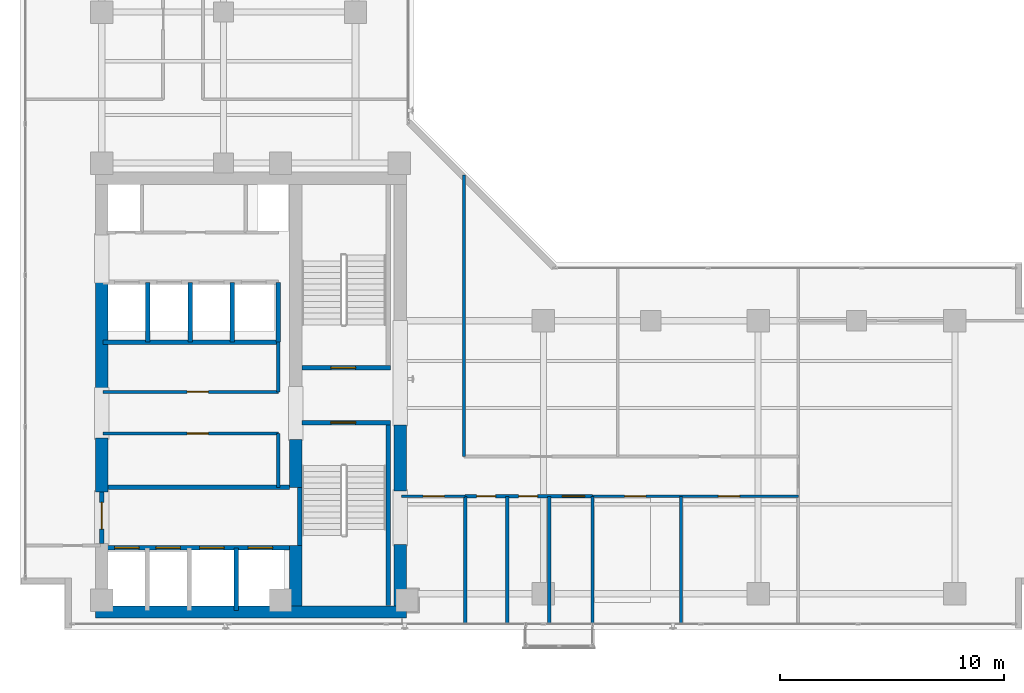
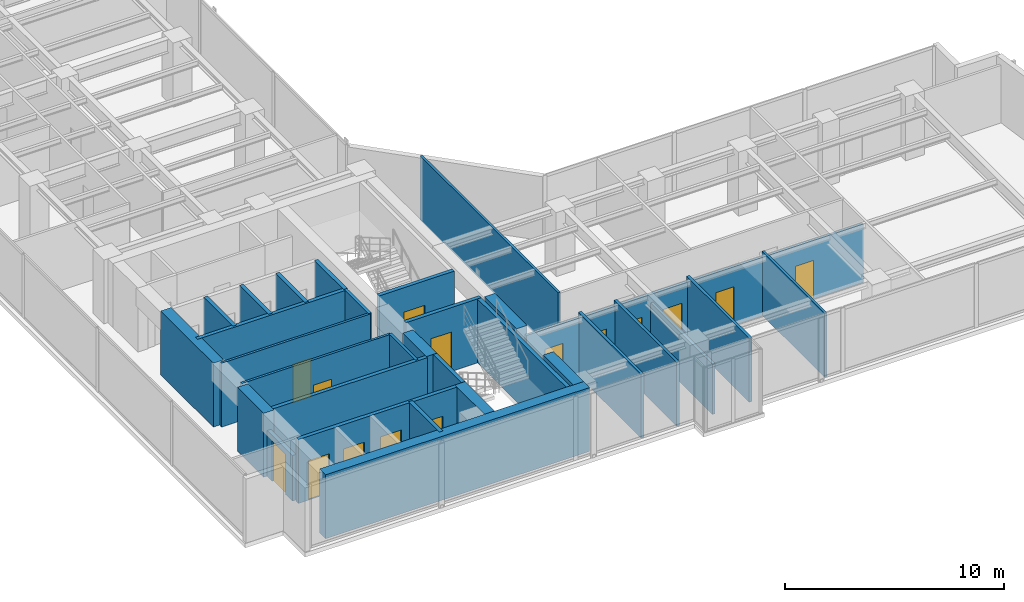
# One storey, part 17 of 22: 33 walls, 15 doors, 15 openings.
"""IFC4 building model written with IfcOpenShell, lengths in metres."""

from ifc_helpers import new_model, si_unit, direction, frame, frame_2d, origin, place, context, subcontext, project, spatial, rectangle, extrude, material, layer, layer_set, type_object, element, fill, save


model = new_model("IFC4")

# Units and contexts
model_context = context("Model", 3, precision=1e-05, world=origin(), true_north=direction((0.0, 1.0)))
body_context = subcontext(model_context, "Body", "Model", "MODEL_VIEW")
ifc_project = project(units=[si_unit("LENGTHUNIT", "METRE"), si_unit("AREAUNIT", "SQUARE_METRE"), si_unit("VOLUMEUNIT", "CUBIC_METRE"), si_unit("PLANEANGLEUNIT", "RADIAN"), si_unit("MASSUNIT", "GRAM", prefix="KILO")], contexts=[model_context])

# Site, building, storey
site_placement = place(None, origin())
site = spatial("IfcSite", under=ifc_project, at=site_placement, CompositionType="ELEMENT")
building_placement = place(site_placement, origin())
building = spatial("IfcBuilding", under=site, at=building_placement, Name="Kolvaren Waterfront Exchange", CompositionType="ELEMENT")
storey_placement = place(building_placement, frame((0.0, 0.0, 246.300048828125)))
storey = spatial("IfcBuildingStorey", under=building, at=storey_placement, Name="L63", CompositionType="ELEMENT", Elevation=246.300048828125)

# Wall, opening, door
ifc_material_1 = material(Name="Precast concrete C40/50", Category="concrete")
ifc_layer_1 = layer(ifc_material_1, 0.199951171875, Name="Precast concrete C40/50")
ifc_layer_set_1 = layer_set([ifc_layer_1], Name="Precast concrete C40/50")
wall_type_1 = type_object("IfcWallType", Name="ARC-FIRE-200", PredefinedType="PARTITIONING", material=ifc_layer_set_1)
wall_1_placement = place(storey_placement, frame((16.39990234375, 12.85009765625, 0.0), z_axis=(0.0, 0.0, 1.0), x_axis=(1.0, 0.0, 0.0)))
wall_1 = element("IfcWall", 1, at=wall_1_placement, inside=storey, type_object=wall_type_1, Name="L63 interior wall PW-L63-ST1-THROAT-S", PredefinedType="PARTITIONING", context=body_context, shape_type="SweptSolid", body=[
    extrude(rectangle(XDim=3.960205078125, YDim=0.199951171875, at=frame_2d((1.97998046875, 0.0))), origin(), (0.0, 0.0, 1.0), 3.56005859375),
])
opening_1_placement = place(wall_1_placement, frame((1.3037109375, 0.0, 0.0)))
opening_1 = element("IfcOpeningElement", 2, at=opening_1_placement, cuts=wall_1, Name="Opening FD2", PredefinedType="OPENING", context=body_context, shape_type="SweptSolid", body=[
    extrude(rectangle(XDim=1.10009765625, YDim=2.199951171875, at=frame_2d((0.550048828125, 1.10009765625))), frame((0.0, 0.10986328125, 0.0), z_axis=(0.0, -1.0, 0.0), x_axis=(1.0, 0.0, 0.0)), (0.0, 0.0, 1.0), 0.219970703125),
])
ifc_material_2 = material(Name="Pressed steel smoke-seal fire door", Category="steel")
door_type_1 = type_object("IfcDoorType", Name="ARC-FD-1100", OperationType="NOTDEFINED", PredefinedType="DOOR", material=ifc_material_2)
door_1_placement = place(opening_1_placement, frame((1.10009765625, 0.0, 0.0), z_axis=(0.0, 0.0, 1.0), x_axis=(-1.0, 0.0, 0.0)))
door_1 = element("IfcDoor", 3, at=door_1_placement, inside=storey, type_object=door_type_1, Name="L63 door DR-L63-ST1-IN (FD2)", OperationType="SINGLE_SWING_LEFT", OverallHeight=2.199951171875, OverallWidth=1.10009765625, PredefinedType="DOOR", context=body_context, shape_type="SweptSolid", body=[
    extrude(rectangle(XDim=1.10009765625, YDim=2.199951171875, at=frame_2d((0.550048828125, 1.10009765625))), frame((0.0, 0.02490234375, 0.0), z_axis=(0.0, -1.0, 0.0), x_axis=(1.0, 0.0, 0.0)), (0.0, 0.0, 1.0), 0.050048828125),
])
fill(opening_1, door_1)

wall_2_placement = place(storey_placement, frame((16.409912109375, 15.300048828125, 0.0), z_axis=(0.0, 0.0, 1.0), x_axis=(1.0, 0.0, 0.0)))
wall_2 = element("IfcWall", 4, at=wall_2_placement, inside=storey, type_object=wall_type_1, Name="L63 interior wall PW-L63-ST2-THROAT-N", PredefinedType="PARTITIONING", context=body_context, shape_type="SweptSolid", body=[
    extrude(rectangle(XDim=3.9501953125, YDim=0.199951171875, at=frame_2d((1.97509765625, 0.0))), origin(), (0.0, 0.0, 1.0), 3.56005859375),
])
opening_2_placement = place(wall_2_placement, frame((1.293701171875, 0.0, 0.0)))
opening_2 = element("IfcOpeningElement", 5, at=opening_2_placement, cuts=wall_2, Name="Opening FD2", PredefinedType="OPENING", context=body_context, shape_type="SweptSolid", body=[
    extrude(rectangle(XDim=1.10009765625, YDim=2.199951171875, at=frame_2d((0.550048828125, 1.10009765625))), frame((0.0, 0.10986328125, 0.0), z_axis=(0.0, -1.0, 0.0), x_axis=(1.0, 0.0, 0.0)), (0.0, 0.0, 1.0), 0.219970703125),
])
door_2_placement = place(opening_2_placement, origin())
door_2 = element("IfcDoor", 6, at=door_2_placement, inside=storey, type_object=door_type_1, Name="L63 door DR-L63-ST2-IN (FD2)", OperationType="SINGLE_SWING_RIGHT", OverallHeight=2.199951171875, OverallWidth=1.10009765625, PredefinedType="DOOR", context=body_context, shape_type="SweptSolid", body=[
    extrude(rectangle(XDim=1.10009765625, YDim=2.199951171875, at=frame_2d((0.550048828125, 1.10009765625))), frame((0.0, 0.02490234375, 0.0), z_axis=(0.0, -1.0, 0.0), x_axis=(1.0, 0.0, 0.0)), (0.0, 0.0, 1.0), 0.050048828125),
])
fill(opening_2, door_2)

# Wall
wall_3_placement = place(storey_placement, frame((7.5, 9.949951171875, 0.0), z_axis=(0.0, 0.0, 1.0), x_axis=(1.0, 0.0, 0.0)))
element("IfcWall", 7, at=wall_3_placement, inside=storey, type_object=wall_type_1, Name="L63 interior wall PW-L63-FF-N", PredefinedType="PARTITIONING", context=body_context, shape_type="SweptSolid", body=[
    extrude(rectangle(XDim=8.35009765625, YDim=0.199951171875, at=frame_2d((4.175048828125, 0.0))), origin(), (0.0, 0.0, 1.0), 3.56005859375),
])

# Wall, opening, door
wall_4_placement = place(storey_placement, frame((7.449951171875, 7.449951171875, 0.0), z_axis=(0.0, 0.0, 1.0), x_axis=(0.0, 1.0, 0.0)))
wall_4 = element("IfcWall", 8, at=wall_4_placement, inside=storey, type_object=wall_type_1, Name="L63 interior wall PW-L63-FF-W-DOOR", PredefinedType="PARTITIONING", context=body_context, shape_type="SweptSolid", body=[
    extrude(rectangle(XDim=2.300048828125, YDim=0.199951171875, at=frame_2d((1.14990234375, 0.0))), origin(), (0.0, 0.0, 1.0), 2.5400390625),
])
opening_3_placement = place(wall_4_placement, frame((0.63330078125, 0.0, 0.0)))
opening_3 = element("IfcOpeningElement", 9, at=opening_3_placement, cuts=wall_4, Name="Opening FD3", PredefinedType="OPENING", context=body_context, shape_type="SweptSolid", body=[
    extrude(rectangle(XDim=1.199951171875, YDim=2.25, at=frame_2d((0.60009765625, 1.125))), frame((0.0, 0.10986328125, 0.0), z_axis=(0.0, -1.0, 0.0), x_axis=(1.0, 0.0, 0.0)), (0.0, 0.0, 1.0), 0.219970703125),
])
ifc_material_3 = material(Name="Pressed steel fire door", Category="steel")
door_type_2 = type_object("IfcDoorType", Name="ARC-FD-1200", OperationType="NOTDEFINED", PredefinedType="DOOR", material=ifc_material_3)
door_3_placement = place(opening_3_placement, frame((1.199951171875, 0.0, 0.0), z_axis=(0.0, 0.0, 1.0), x_axis=(-1.0, 0.0, 0.0)))
door_3 = element("IfcDoor", 10, at=door_3_placement, inside=storey, type_object=door_type_2, Name="L63 door DR-L63-FF-OUT (FD3)", OperationType="SINGLE_SWING_LEFT", OverallHeight=2.25, OverallWidth=1.199951171875, PredefinedType="DOOR", context=body_context, shape_type="SweptSolid", body=[
    extrude(rectangle(XDim=1.199951171875, YDim=2.25, at=frame_2d((0.60009765625, 1.125))), frame((0.0, 0.02490234375, 0.0), z_axis=(0.0, -1.0, 0.0), x_axis=(1.0, 0.0, 0.0)), (0.0, 0.0, 1.0), 0.050048828125),
])
fill(opening_3, door_3)

ifc_material_4 = material(Name="Acoustic gypsum steel stud", Category="steel")
ifc_layer_2 = layer(ifc_material_4, 0.125, Name="Acoustic gypsum steel stud")
ifc_layer_set_2 = layer_set([ifc_layer_2], Name="Acoustic gypsum steel stud")
wall_type_2 = type_object("IfcWallType", Name="ARC-PART-125", PredefinedType="PARTITIONING", material=ifc_layer_set_2)
wall_5_placement = place(storey_placement, frame((7.5, 12.360107421875, 0.0), z_axis=(0.0, 0.0, 1.0), x_axis=(1.0, 0.0, 0.0)))
wall_5 = element("IfcWall", 11, at=wall_5_placement, inside=storey, type_object=wall_type_2, Name="L63 interior wall PW-L63-REC-HI-S", PredefinedType="PARTITIONING", context=body_context, shape_type="SweptSolid", body=[
    extrude(rectangle(XDim=7.85009765625, YDim=0.125, at=frame_2d((3.925048828125, 0.0))), origin(), (0.0, 0.0, 1.0), 3.56005859375),
])
opening_4_placement = place(wall_5_placement, frame((3.77490234375, 0.0, 0.0)))
opening_4 = element("IfcOpeningElement", 12, at=opening_4_placement, cuts=wall_5, Name="Opening D02", PredefinedType="OPENING", context=body_context, shape_type="SweptSolid", body=[
    extrude(rectangle(XDim=0.949951171875, YDim=2.14990234375, at=frame_2d((0.47509765625, 1.074951171875))), frame((0.0, 0.072509765625, 0.0), z_axis=(0.0, -1.0, 0.0), x_axis=(1.0, 0.0, 0.0)), (0.0, 0.0, 1.0), 0.14501953125),
])
ifc_material_5 = material(Name="Oak veneer acoustic timber", Category="wood")
door_type_3 = type_object("IfcDoorType", Name="ARC-DR-950", OperationType="NOTDEFINED", PredefinedType="DOOR", material=ifc_material_5)
door_4_placement = place(opening_4_placement, origin())
door_4 = element("IfcDoor", 13, at=door_4_placement, inside=storey, type_object=door_type_3, Name="L63 door DR-L63-REC-HI-D1 (D02)", OperationType="SINGLE_SWING_RIGHT", OverallHeight=2.14990234375, OverallWidth=0.949951171875, PredefinedType="DOOR", context=body_context, shape_type="SweptSolid", body=[
    extrude(rectangle(XDim=0.949951171875, YDim=2.14990234375, at=frame_2d((0.47509765625, 1.074951171875))), frame((0.0, 0.02490234375, 0.0), z_axis=(0.0, -1.0, 0.0), x_axis=(1.0, 0.0, 0.0)), (0.0, 0.0, 1.0), 0.050048828125),
])
fill(opening_4, door_4)

wall_6_placement = place(storey_placement, frame((7.5, 14.219970703125, 0.0), z_axis=(0.0, 0.0, 1.0), x_axis=(1.0, 0.0, 0.0)))
wall_6 = element("IfcWall", 14, at=wall_6_placement, inside=storey, type_object=wall_type_2, Name="L63 interior wall PW-L63-REC-HI-N", PredefinedType="PARTITIONING", context=body_context, shape_type="SweptSolid", body=[
    extrude(rectangle(XDim=7.85009765625, YDim=0.125, at=frame_2d((3.925048828125, 0.0))), origin(), (0.0, 0.0, 1.0), 3.56005859375),
])
opening_5_placement = place(wall_6_placement, frame((3.77490234375, 0.0, 0.0)))
opening_5 = element("IfcOpeningElement", 15, at=opening_5_placement, cuts=wall_6, Name="Opening D02", PredefinedType="OPENING", context=body_context, shape_type="SweptSolid", body=[
    extrude(rectangle(XDim=0.949951171875, YDim=2.14990234375, at=frame_2d((0.47509765625, 1.074951171875))), frame((0.0, 0.072509765625, 0.0), z_axis=(0.0, -1.0, 0.0), x_axis=(1.0, 0.0, 0.0)), (0.0, 0.0, 1.0), 0.14501953125),
])
door_5_placement = place(opening_5_placement, origin())
door_5 = element("IfcDoor", 16, at=door_5_placement, inside=storey, type_object=door_type_3, Name="L63 door DR-L63-REC-HI-D2 (D02)", OperationType="SINGLE_SWING_LEFT", OverallHeight=2.14990234375, OverallWidth=0.949951171875, PredefinedType="DOOR", context=body_context, shape_type="SweptSolid", body=[
    extrude(rectangle(XDim=0.949951171875, YDim=2.14990234375, at=frame_2d((0.47509765625, 1.074951171875))), frame((0.0, 0.02490234375, 0.0), z_axis=(0.0, -1.0, 0.0), x_axis=(1.0, 0.0, 0.0)), (0.0, 0.0, 1.0), 0.050048828125),
])
fill(opening_5, door_5)

wall_7_placement = place(storey_placement, frame((20.85009765625, 9.550048828125, 0.0), z_axis=(0.0, 0.0, 1.0), x_axis=(1.0, 0.0, 0.0)))
wall_7 = element("IfcWall", 17, at=wall_7_placement, inside=storey, type_object=wall_type_2, Name="L63 interior wall PW-L63-SWST3-N", PredefinedType="PARTITIONING", context=body_context, shape_type="SweptSolid", body=[
    extrude(rectangle(XDim=2.849853515625, YDim=0.125, at=frame_2d((1.4248046875, 0.0))), origin(), (0.0, 0.0, 1.0), 3.260009765625),
])
opening_6_placement = place(wall_7_placement, frame((0.971435546875, 0.0, 0.0)))
opening_6 = element("IfcOpeningElement", 18, at=opening_6_placement, cuts=wall_7, Name="Opening D02", PredefinedType="OPENING", context=body_context, shape_type="SweptSolid", body=[
    extrude(rectangle(XDim=0.949951171875, YDim=2.14990234375, at=frame_2d((0.47509765625, 1.074951171875))), frame((0.0, 0.072509765625, 0.0), z_axis=(0.0, -1.0, 0.0), x_axis=(1.0, 0.0, 0.0)), (0.0, 0.0, 1.0), 0.14501953125),
])
door_6_placement = place(opening_6_placement, origin())
door_6 = element("IfcDoor", 19, at=door_6_placement, inside=storey, type_object=door_type_3, Name="L63 door DR-L63-SWST3-D (D02)", OperationType="SINGLE_SWING_RIGHT", OverallHeight=2.14990234375, OverallWidth=0.949951171875, PredefinedType="DOOR", context=body_context, shape_type="SweptSolid", body=[
    extrude(rectangle(XDim=0.949951171875, YDim=2.14990234375, at=frame_2d((0.47509765625, 1.074951171875))), frame((0.0, 0.02490234375, 0.0), z_axis=(0.0, -1.0, 0.0), x_axis=(1.0, 0.0, 0.0)), (0.0, 0.0, 1.0), 0.050048828125),
])
fill(opening_6, door_6)

# Wall, openings, doors
wall_8_placement = place(storey_placement, frame((29.39990234375, 9.550048828125, 0.0), z_axis=(0.0, 0.0, 1.0), x_axis=(1.0, 0.0, 0.0)))
wall_8 = element("IfcWall", 20, at=wall_8_placement, inside=storey, type_object=wall_type_2, Name="L63 interior wall PW-L63-ES-CORR", PredefinedType="PARTITIONING", context=body_context, shape_type="SweptSolid", body=[
    extrude(rectangle(XDim=9.2001953125, YDim=0.125, at=frame_2d((4.60009765625, 0.0))), origin(), (0.0, 0.0, 1.0), 3.260009765625),
])
opening_7_placement = place(wall_8_placement, frame((1.431396484375, 0.0, 0.0)))
opening_7 = element("IfcOpeningElement", 21, at=opening_7_placement, cuts=wall_8, Name="Opening D02", PredefinedType="OPENING", context=body_context, shape_type="SweptSolid", body=[
    extrude(rectangle(XDim=0.949951171875, YDim=2.14990234375, at=frame_2d((0.47509765625, 1.074951171875))), frame((0.0, 0.072509765625, 0.0), z_axis=(0.0, -1.0, 0.0), x_axis=(1.0, 0.0, 0.0)), (0.0, 0.0, 1.0), 0.14501953125),
])
opening_8_placement = place(wall_8_placement, frame((5.6298828125, 0.0, 0.0)))
opening_8 = element("IfcOpeningElement", 22, at=opening_8_placement, cuts=wall_8, Name="Opening D02", PredefinedType="OPENING", context=body_context, shape_type="SweptSolid", body=[
    extrude(rectangle(XDim=0.949951171875, YDim=2.14990234375, at=frame_2d((0.47509765625, 1.074951171875))), frame((0.0, 0.072509765625, 0.0), z_axis=(0.0, -1.0, 0.0), x_axis=(1.0, 0.0, 0.0)), (0.0, 0.0, 1.0), 0.14501953125),
])
door_7_placement = place(opening_7_placement, origin())
door_7 = element("IfcDoor", 23, at=door_7_placement, inside=storey, type_object=door_type_3, Name="L63 door DR-L63-ES-D-1 (D02)", OperationType="SINGLE_SWING_LEFT", OverallHeight=2.14990234375, OverallWidth=0.949951171875, PredefinedType="DOOR", context=body_context, shape_type="SweptSolid", body=[
    extrude(rectangle(XDim=0.949951171875, YDim=2.14990234375, at=frame_2d((0.47509765625, 1.074951171875))), frame((0.0, 0.02490234375, 0.0), z_axis=(0.0, -1.0, 0.0), x_axis=(1.0, 0.0, 0.0)), (0.0, 0.0, 1.0), 0.050048828125),
])
fill(opening_7, door_7)
door_8_placement = place(opening_8_placement, origin())
door_8 = element("IfcDoor", 24, at=door_8_placement, inside=storey, type_object=door_type_3, Name="L63 door DR-L63-ES-D-2 (D02)", OperationType="SINGLE_SWING_RIGHT", OverallHeight=2.14990234375, OverallWidth=0.949951171875, PredefinedType="DOOR", context=body_context, shape_type="SweptSolid", body=[
    extrude(rectangle(XDim=0.949951171875, YDim=2.14990234375, at=frame_2d((0.47509765625, 1.074951171875))), frame((0.0, 0.02490234375, 0.0), z_axis=(0.0, -1.0, 0.0), x_axis=(1.0, 0.0, 0.0)), (0.0, 0.0, 1.0), 0.050048828125),
])
fill(opening_8, door_8)

# Walls
wall_9_placement = place(storey_placement, frame((33.360107421875, 3.840087890625, 0.0), z_axis=(0.0, 0.0, 1.0), x_axis=(0.0, 1.0, 0.0)))
element("IfcWall", 25, at=wall_9_placement, inside=storey, type_object=wall_type_2, Name="L63 interior wall PW-L63-ES-DIV-1", PredefinedType="PARTITIONING", context=body_context, shape_type="SweptSolid", body=[
    extrude(rectangle(XDim=5.7099609375, YDim=0.125, at=frame_2d((2.85498046875, 0.0))), origin(), (0.0, 0.0, 1.0), 3.56005859375),
])
wall_10_placement = place(storey_placement, frame((23.64990234375, 11.330078125, 0.0), z_axis=(0.0, 0.0, 1.0), x_axis=(0.0, 1.0, 0.0)))
element("IfcWall", 26, at=wall_10_placement, inside=storey, type_object=wall_type_2, Name="L63 interior wall PW-L63-EN-W0", PredefinedType="PARTITIONING", context=body_context, shape_type="SweptSolid", body=[
    extrude(rectangle(XDim=12.579833984375, YDim=0.125, at=frame_2d((6.2900390625, 0.0))), origin(), (0.0, 0.0, 1.0), 3.56005859375),
])
ifc_material_6 = material(Name="Gypsum fireboard steel stud", Category="steel")
ifc_layer_3 = layer(ifc_material_6, 0.14990234375, Name="Gypsum fireboard steel stud")
ifc_layer_set_3 = layer_set([ifc_layer_3], Name="Gypsum fireboard steel stud")
wall_type_3 = type_object("IfcWallType", Name="ARC-PART-150", PredefinedType="PARTITIONING", material=ifc_layer_set_3)
wall_11_placement = place(storey_placement, frame((15.35009765625, 9.949951171875, 0.0), z_axis=(0.0, 0.0, 1.0), x_axis=(0.0, 1.0, 0.0)))
element("IfcWall", 27, at=wall_11_placement, inside=storey, type_object=wall_type_3, Name="L63 interior wall PW-L63-REC-HI-E1", PredefinedType="PARTITIONING", context=body_context, shape_type="SweptSolid", body=[
    extrude(rectangle(XDim=2.41015625, YDim=0.14990234375, at=frame_2d((1.205078125, 0.0))), origin(), (0.0, 0.0, 1.0), 3.56005859375),
])
wall_12_placement = place(storey_placement, frame((15.35009765625, 14.219970703125, 0.0), z_axis=(0.0, 0.0, 1.0), x_axis=(0.0, 1.0, 0.0)))
element("IfcWall", 28, at=wall_12_placement, inside=storey, type_object=wall_type_3, Name="L63 interior wall PW-L63-REC-HI-E2", PredefinedType="PARTITIONING", context=body_context, shape_type="SweptSolid", body=[
    extrude(rectangle(XDim=2.22998046875, YDim=0.14990234375, at=frame_2d((1.114990234375, 0.0))), origin(), (0.0, 0.0, 1.0), 3.56005859375),
])
ifc_material_7 = material(Name="Moisture-resistant gypsum stud")
ifc_layer_4 = layer(ifc_material_7, 0.14990234375, Name="Moisture-resistant gypsum stud")
ifc_layer_set_4 = layer_set([ifc_layer_4], Name="Moisture-resistant gypsum stud")
wall_type_4 = type_object("IfcWallType", Name="ARC-PLUMB-150", PredefinedType="PLUMBINGWALL", material=ifc_layer_set_4)
wall_13_placement = place(storey_placement, frame((23.699951171875, 3.840087890625, 0.0), z_axis=(0.0, 0.0, 1.0), x_axis=(0.0, 1.0, 0.0)))
element("IfcWall", 29, at=wall_13_placement, inside=storey, type_object=wall_type_4, Name="L63 interior wall PW-L63-WC-0", PredefinedType="PLUMBINGWALL", context=body_context, shape_type="SweptSolid", body=[
    extrude(rectangle(XDim=5.7099609375, YDim=0.14990234375, at=frame_2d((2.85498046875, 0.0))), origin(), (0.0, 0.0, 1.0), 3.56005859375),
])

# Wall, openings, doors
wall_14_placement = place(storey_placement, frame((23.699951171875, 9.550048828125, 0.0), z_axis=(0.0, 0.0, 1.0), x_axis=(1.0, 0.0, 0.0)))
wall_14 = element("IfcWall", 30, at=wall_14_placement, inside=storey, type_object=wall_type_4, Name="L63 interior wall PW-L63-WC-N", PredefinedType="PLUMBINGWALL", context=body_context, shape_type="SweptSolid", body=[
    extrude(rectangle(XDim=5.699951171875, YDim=0.14990234375, at=frame_2d((2.85009765625, 0.0))), origin(), (0.0, 0.0, 1.0), 3.260009765625),
])
opening_9_placement = place(wall_14_placement, frame((0.514892578125, 0.0, 0.0)))
opening_9 = element("IfcOpeningElement", 31, at=opening_9_placement, cuts=wall_14, Name="Opening D01", PredefinedType="OPENING", context=body_context, shape_type="SweptSolid", body=[
    extrude(rectangle(XDim=0.85009765625, YDim=2.14990234375, at=frame_2d((0.425048828125, 1.074951171875))), frame((0.0, 0.0849609375, 0.0), z_axis=(0.0, -1.0, 0.0), x_axis=(1.0, 0.0, 0.0)), (0.0, 0.0, 1.0), 0.169921875),
])
opening_10_placement = place(wall_14_placement, frame((2.39501953125, 0.0, 0.0)))
opening_10 = element("IfcOpeningElement", 32, at=opening_10_placement, cuts=wall_14, Name="Opening D01", PredefinedType="OPENING", context=body_context, shape_type="SweptSolid", body=[
    extrude(rectangle(XDim=0.85009765625, YDim=2.14990234375, at=frame_2d((0.425048828125, 1.074951171875))), frame((0.0, 0.0849609375, 0.0), z_axis=(0.0, -1.0, 0.0), x_axis=(1.0, 0.0, 0.0)), (0.0, 0.0, 1.0), 0.169921875),
])
opening_11_placement = place(wall_14_placement, frame((4.35009765625, 0.0, 0.0)))
opening_11 = element("IfcOpeningElement", 33, at=opening_11_placement, cuts=wall_14, Name="Opening D03", PredefinedType="OPENING", context=body_context, shape_type="SweptSolid", body=[
    extrude(rectangle(XDim=1.0, YDim=2.199951171875, at=frame_2d((0.5, 1.10009765625))), frame((0.0, 0.0849609375, 0.0), z_axis=(0.0, -1.0, 0.0), x_axis=(1.0, 0.0, 0.0)), (0.0, 0.0, 1.0), 0.169921875),
])
ifc_material_8 = material(Name="Oak veneer accessible timber", Category="wood")
door_type_4 = type_object("IfcDoorType", Name="ARC-DR-1000", OperationType="NOTDEFINED", PredefinedType="DOOR", material=ifc_material_8)
door_9_placement = place(opening_11_placement, origin())
door_9 = element("IfcDoor", 34, at=door_9_placement, inside=storey, type_object=door_type_4, Name="L63 door DR-L63-WCA-D (D03)", OperationType="SINGLE_SWING_RIGHT", OverallHeight=2.199951171875, OverallWidth=1.0, PredefinedType="DOOR", context=body_context, shape_type="SweptSolid", body=[
    extrude(rectangle(XDim=1.0, YDim=2.199951171875, at=frame_2d((0.5, 1.10009765625))), frame((0.0, 0.02490234375, 0.0), z_axis=(0.0, -1.0, 0.0), x_axis=(1.0, 0.0, 0.0)), (0.0, 0.0, 1.0), 0.050048828125),
])
fill(opening_11, door_9)
ifc_material_9 = material(Name="Oak veneer timber leaf", Category="wood")
door_type_5 = type_object("IfcDoorType", Name="ARC-DR-900", OperationType="NOTDEFINED", PredefinedType="DOOR", material=ifc_material_9)
door_10_placement = place(opening_9_placement, origin())
door_10 = element("IfcDoor", 35, at=door_10_placement, inside=storey, type_object=door_type_5, Name="L63 door DR-L63-WCM-D (D01)", OperationType="SINGLE_SWING_RIGHT", OverallHeight=2.14990234375, OverallWidth=0.85009765625, PredefinedType="DOOR", context=body_context, shape_type="SweptSolid", body=[
    extrude(rectangle(XDim=0.85009765625, YDim=2.14990234375, at=frame_2d((0.425048828125, 1.074951171875))), frame((0.0, 0.02490234375, 0.0), z_axis=(0.0, -1.0, 0.0), x_axis=(1.0, 0.0, 0.0)), (0.0, 0.0, 1.0), 0.050048828125),
])
fill(opening_9, door_10)
door_11_placement = place(opening_10_placement, origin())
door_11 = element("IfcDoor", 36, at=door_11_placement, inside=storey, type_object=door_type_5, Name="L63 door DR-L63-WCF-D (D01)", OperationType="SINGLE_SWING_LEFT", OverallHeight=2.14990234375, OverallWidth=0.85009765625, PredefinedType="DOOR", context=body_context, shape_type="SweptSolid", body=[
    extrude(rectangle(XDim=0.85009765625, YDim=2.14990234375, at=frame_2d((0.425048828125, 1.074951171875))), frame((0.0, 0.02490234375, 0.0), z_axis=(0.0, -1.0, 0.0), x_axis=(1.0, 0.0, 0.0)), (0.0, 0.0, 1.0), 0.050048828125),
])
fill(opening_10, door_11)

# Walls
wall_15_placement = place(storey_placement, frame((25.580078125, 3.840087890625, 0.0), z_axis=(0.0, 0.0, 1.0), x_axis=(0.0, 1.0, 0.0)))
element("IfcWall", 37, at=wall_15_placement, inside=storey, type_object=wall_type_4, Name="L63 interior wall PW-L63-WC-1", PredefinedType="PLUMBINGWALL", context=body_context, shape_type="SweptSolid", body=[
    extrude(rectangle(XDim=5.7099609375, YDim=0.14990234375, at=frame_2d((2.85498046875, 0.0))), origin(), (0.0, 0.0, 1.0), 3.56005859375),
])
wall_16_placement = place(storey_placement, frame((27.4599609375, 3.840087890625, 0.0), z_axis=(0.0, 0.0, 1.0), x_axis=(0.0, 1.0, 0.0)))
element("IfcWall", 38, at=wall_16_placement, inside=storey, type_object=wall_type_4, Name="L63 interior wall PW-L63-WC-2", PredefinedType="PLUMBINGWALL", context=body_context, shape_type="SweptSolid", body=[
    extrude(rectangle(XDim=5.7099609375, YDim=0.14990234375, at=frame_2d((2.85498046875, 0.0))), origin(), (0.0, 0.0, 1.0), 2.7978515625),
])
wall_17_placement = place(storey_placement, frame((29.39990234375, 3.840087890625, 0.0), z_axis=(0.0, 0.0, 1.0), x_axis=(0.0, 1.0, 0.0)))
element("IfcWall", 39, at=wall_17_placement, inside=storey, type_object=wall_type_4, Name="L63 interior wall PW-L63-WC-3", PredefinedType="PLUMBINGWALL", context=body_context, shape_type="SweptSolid", body=[
    extrude(rectangle(XDim=5.7099609375, YDim=0.14990234375, at=frame_2d((2.85498046875, 0.0))), origin(), (0.0, 0.0, 1.0), 3.56005859375),
])
ifc_material_10 = material(Name="Concrete C40/50", Category="concrete")
ifc_layer_5 = layer(ifc_material_10, 0.199951171875, Name="Concrete C40/50")
ifc_layer_set_5 = layer_set([ifc_layer_5], Name="Concrete C40/50")
wall_type_5 = type_object("IfcWallType", Name="ARC-SHAFT-200", PredefinedType="PARTITIONING", material=ifc_layer_set_5)
wall_18_placement = place(storey_placement, frame((16.300048828125, 7.360107421875, 0.0), z_axis=(0.0, 0.0, 1.0), x_axis=(0.0, 1.0, 0.0)))
element("IfcWall", 40, at=wall_18_placement, inside=storey, type_object=wall_type_5, Name="L63 structural stairwell wall PW-L63-ST1-W", PredefinedType="SHEAR", context=body_context, shape_type="SweptSolid", body=[
    extrude(rectangle(XDim=2.579833984375, YDim=0.199951171875, at=frame_2d((1.2900390625, 0.0))), origin(), (0.0, 0.0, 1.0), 3.56005859375),
])
wall_19_placement = place(storey_placement, frame((20.260009765625, 4.659912109375, 0.0), z_axis=(0.0, 0.0, 1.0), x_axis=(0.0, 1.0, 0.0)))
element("IfcWall", 41, at=wall_19_placement, inside=storey, type_object=wall_type_5, Name="L63 structural stairwell wall PW-L63-ST1-E", PredefinedType="SHEAR", context=body_context, shape_type="SweptSolid", body=[
    extrude(rectangle(XDim=8.090087890625, YDim=0.199951171875, at=frame_2d((4.044921875, 0.0))), origin(), (0.0, 0.0, 1.0), 3.56005859375),
])

# Wall, openings, doors
wall_20_placement = place(storey_placement, frame((7.5, 7.25, 0.0), z_axis=(0.0, 0.0, 1.0), x_axis=(1.0, 0.0, 0.0)))
wall_20 = element("IfcWall", 42, at=wall_20_placement, inside=storey, type_object=wall_type_5, Name="L63 interior wall PW-L63-FF-S", PredefinedType="PARTITIONING", context=body_context, shape_type="SweptSolid", body=[
    extrude(rectangle(XDim=8.35009765625, YDim=0.199951171875, at=frame_2d((4.175048828125, 0.0))), origin(), (0.0, 0.0, 1.0), 3.56005859375),
])
opening_12_placement = place(wall_20_placement, frame((0.530029296875, 0.0, 0.0)))
opening_12 = element("IfcOpeningElement", 43, at=opening_12_placement, cuts=wall_20, Name="Opening LD1", PredefinedType="OPENING", context=body_context, shape_type="SweptSolid", body=[
    extrude(rectangle(XDim=1.10009765625, YDim=2.199951171875, at=frame_2d((0.550048828125, 1.10009765625))), frame((0.0, 0.10986328125, 0.0), z_axis=(0.0, -1.0, 0.0), x_axis=(1.0, 0.0, 0.0)), (0.0, 0.0, 1.0), 0.219970703125),
])
opening_13_placement = place(wall_20_placement, frame((2.3701171875, 0.0, 0.0)))
opening_13 = element("IfcOpeningElement", 44, at=opening_13_placement, cuts=wall_20, Name="Opening LD1", PredefinedType="OPENING", context=body_context, shape_type="SweptSolid", body=[
    extrude(rectangle(XDim=1.10009765625, YDim=2.199951171875, at=frame_2d((0.550048828125, 1.10009765625))), frame((0.0, 0.10986328125, 0.0), z_axis=(0.0, -1.0, 0.0), x_axis=(1.0, 0.0, 0.0)), (0.0, 0.0, 1.0), 0.219970703125),
])
opening_14_placement = place(wall_20_placement, frame((4.330078125, 0.0, 0.0)))
opening_14 = element("IfcOpeningElement", 45, at=opening_14_placement, cuts=wall_20, Name="Opening LD1", PredefinedType="OPENING", context=body_context, shape_type="SweptSolid", body=[
    extrude(rectangle(XDim=1.10009765625, YDim=2.199951171875, at=frame_2d((0.550048828125, 1.10009765625))), frame((0.0, 0.10986328125, 0.0), z_axis=(0.0, -1.0, 0.0), x_axis=(1.0, 0.0, 0.0)), (0.0, 0.0, 1.0), 0.219970703125),
])
opening_15_placement = place(wall_20_placement, frame((6.5, 0.0, 0.0)))
opening_15 = element("IfcOpeningElement", 46, at=opening_15_placement, cuts=wall_20, Name="Opening LD1", PredefinedType="OPENING", context=body_context, shape_type="SweptSolid", body=[
    extrude(rectangle(XDim=1.10009765625, YDim=2.199951171875, at=frame_2d((0.550048828125, 1.10009765625))), frame((0.0, 0.10986328125, 0.0), z_axis=(0.0, -1.0, 0.0), x_axis=(1.0, 0.0, 0.0)), (0.0, 0.0, 1.0), 0.219970703125),
])
ifc_material_11 = material(Name="Stainless steel sliding landing door", Category="steel")
door_type_6 = type_object("IfcDoorType", Name="ARC-LD-FF", OperationType="SLIDING_TO_LEFT", PredefinedType="DOOR", material=ifc_material_11)
door_12_placement = place(opening_12_placement, origin())
door_12 = element("IfcDoor", 47, at=door_12_placement, inside=storey, type_object=door_type_6, Name="L63 door LD-L63-FFL1 (LD1)", OperationType="SLIDING_TO_LEFT", OverallHeight=2.199951171875, OverallWidth=1.10009765625, PredefinedType="DOOR", context=body_context, shape_type="SweptSolid", body=[
    extrude(rectangle(XDim=1.10009765625, YDim=2.199951171875, at=frame_2d((0.550048828125, 1.10009765625))), frame((0.0, 0.02490234375, 0.0), z_axis=(0.0, -1.0, 0.0), x_axis=(1.0, 0.0, 0.0)), (0.0, 0.0, 1.0), 0.050048828125),
])
fill(opening_12, door_12)
door_13_placement = place(opening_13_placement, origin())
door_13 = element("IfcDoor", 48, at=door_13_placement, inside=storey, type_object=door_type_6, Name="L63 door LD-L63-FFL2 (LD1)", OperationType="SLIDING_TO_LEFT", OverallHeight=2.199951171875, OverallWidth=1.10009765625, PredefinedType="DOOR", context=body_context, shape_type="SweptSolid", body=[
    extrude(rectangle(XDim=1.10009765625, YDim=2.199951171875, at=frame_2d((0.550048828125, 1.10009765625))), frame((0.0, 0.02490234375, 0.0), z_axis=(0.0, -1.0, 0.0), x_axis=(1.0, 0.0, 0.0)), (0.0, 0.0, 1.0), 0.050048828125),
])
fill(opening_13, door_13)
door_14_placement = place(opening_14_placement, origin())
door_14 = element("IfcDoor", 49, at=door_14_placement, inside=storey, type_object=door_type_6, Name="L63 door LD-L63-GL1 (LD1)", OperationType="SLIDING_TO_LEFT", OverallHeight=2.199951171875, OverallWidth=1.10009765625, PredefinedType="DOOR", context=body_context, shape_type="SweptSolid", body=[
    extrude(rectangle(XDim=1.10009765625, YDim=2.199951171875, at=frame_2d((0.550048828125, 1.10009765625))), frame((0.0, 0.02490234375, 0.0), z_axis=(0.0, -1.0, 0.0), x_axis=(1.0, 0.0, 0.0)), (0.0, 0.0, 1.0), 0.050048828125),
])
fill(opening_14, door_14)
door_15_placement = place(opening_15_placement, origin())
door_15 = element("IfcDoor", 50, at=door_15_placement, inside=storey, type_object=door_type_6, Name="L63 door LD-L63-GL2 (LD1)", OperationType="SLIDING_TO_LEFT", OverallHeight=2.199951171875, OverallWidth=1.10009765625, PredefinedType="DOOR", context=body_context, shape_type="SweptSolid", body=[
    extrude(rectangle(XDim=1.10009765625, YDim=2.199951171875, at=frame_2d((0.550048828125, 1.10009765625))), frame((0.0, 0.02490234375, 0.0), z_axis=(0.0, -1.0, 0.0), x_axis=(1.0, 0.0, 0.0)), (0.0, 0.0, 1.0), 0.050048828125),
])
fill(opening_15, door_15)

# Walls
wall_21_placement = place(storey_placement, frame((13.4599609375, 4.449951171875, 0.0), z_axis=(0.0, 0.0, 1.0), x_axis=(0.0, 1.0, 0.0)))
element("IfcWall", 51, at=wall_21_placement, inside=storey, type_object=wall_type_5, Name="L63 interior wall PW-L63-SH1-DIV-134", PredefinedType="PARTITIONING", context=body_context, shape_type="SweptSolid", body=[
    extrude(rectangle(XDim=2.800048828125, YDim=0.199951171875, at=frame_2d((1.39990234375, 0.0))), origin(), (0.0, 0.0, 1.0), 3.56005859375),
])
wall_22_placement = place(storey_placement, frame((7.5, 16.449951171875, 0.0), z_axis=(0.0, 0.0, 1.0), x_axis=(1.0, 0.0, 0.0)))
element("IfcWall", 52, at=wall_22_placement, inside=storey, type_object=wall_type_5, Name="L63 interior wall PW-L63-REC-PM-N", PredefinedType="PARTITIONING", context=body_context, shape_type="SweptSolid", body=[
    extrude(rectangle(XDim=7.85009765625, YDim=0.199951171875, at=frame_2d((3.925048828125, 0.0))), origin(), (0.0, 0.0, 1.0), 3.56005859375),
])
for number, where, z_axis, x_axis, name in (
    (53, (15.35009765625, 16.449951171875, 0.0), (0.0, 0.0, 1.0), (0.0, 1.0, 0.0), "L63 interior wall PW-L63-PH-E"),
    (54, (9.52001953125, 16.449951171875, 0.0), (0.0, 0.0, 1.0), (0.0, 1.0, 0.0), "L63 interior wall PW-L63-SH4-DIV-95"),
    (55, (11.409912109375, 16.449951171875, 0.0), (0.0, 0.0, 1.0), (0.0, 1.0, 0.0), "L63 interior wall PW-L63-SH4-DIV-114"),
    (56, (13.300048828125, 16.449951171875, 0.0), (0.0, 0.0, 1.0), (0.0, 1.0, 0.0), "L63 interior wall PW-L63-SH4-DIV-133"),
):
    element("IfcWall", number, at=place(storey_placement, frame(where, z_axis=z_axis, x_axis=x_axis)), inside=storey, type_object=wall_type_5, Name=name, PredefinedType="PARTITIONING", context=body_context, shape_type="SweptSolid", body=[
        extrude(rectangle(XDim=2.670166015625, YDim=0.199951171875, at=frame_2d((1.3349609375, 0.0))), origin(), (0.0, 0.0, 1.0), 3.56005859375),
    ])
ifc_material_12 = material(Name="Concrete C50/60", Category="concrete")
ifc_layer_6 = layer(ifc_material_12, 0.550048828125, Name="Concrete C50/60")
ifc_layer_set_6 = layer_set([ifc_layer_6], Name="Concrete C50/60")
wall_type_6 = type_object("IfcWallType", Name="STR-CWALL-550", PredefinedType="SHEAR", material=ifc_layer_set_6)
wall_23_placement = place(storey_placement, frame((7.175048828125, 4.375, 0.0), z_axis=(0.0, 0.0, 1.0), x_axis=(1.0, 0.0, 0.0)))
element("IfcWall", 57, at=wall_23_placement, inside=storey, type_object=wall_type_6, Name="L63 rear-core shear wall S", PredefinedType="SHEAR", context=body_context, shape_type="SweptSolid", body=[
    extrude(rectangle(XDim=13.89990234375, YDim=0.550048828125, at=frame_2d((6.949951171875, 0.0))), origin(), (0.0, 0.0, 1.0), 3.56005859375),
])
wall_24_placement = place(storey_placement, frame((7.449951171875, 9.75, 0.0), z_axis=(0.0, 0.0, 1.0), x_axis=(0.0, 1.0, 0.0)))
element("IfcWall", 58, at=wall_24_placement, inside=storey, type_object=wall_type_6, Name="L63 rear-core shear wall W2A", PredefinedType="SHEAR", context=body_context, shape_type="SweptSolid", body=[
    extrude(rectangle(XDim=2.39990234375, YDim=0.550048828125, at=frame_2d((1.199951171875, 0.0))), origin(), (0.0, 0.0, 1.0), 3.56005859375),
])
wall_25_placement = place(storey_placement, frame((7.449951171875, 14.35009765625, 0.0), z_axis=(0.0, 0.0, 1.0), x_axis=(0.0, 1.0, 0.0)))
element("IfcWall", 59, at=wall_25_placement, inside=storey, type_object=wall_type_6, Name="L63 rear-core shear wall W2B", PredefinedType="SHEAR", context=body_context, shape_type="SweptSolid", body=[
    extrude(rectangle(XDim=4.809814453125, YDim=0.550048828125, at=frame_2d((2.40478515625, 0.0))), origin(), (0.0, 0.0, 1.0), 3.56005859375),
])
wall_26_placement = place(storey_placement, frame((20.800048828125, 4.64990234375, 0.0), z_axis=(0.0, 0.0, 1.0), x_axis=(0.0, 1.0, 0.0)))
element("IfcWall", 60, at=wall_26_placement, inside=storey, type_object=wall_type_6, Name="L63 rear-core shear wall E1", PredefinedType="SHEAR", context=body_context, shape_type="SweptSolid", body=[
    extrude(rectangle(XDim=2.75, YDim=0.550048828125, at=frame_2d((1.375, 0.0))), origin(), (0.0, 0.0, 1.0), 3.56005859375),
])
wall_27_placement = place(storey_placement, frame((20.800048828125, 9.800048828125, 0.0), z_axis=(0.0, 0.0, 1.0), x_axis=(0.0, 1.0, 0.0)))
element("IfcWall", 61, at=wall_27_placement, inside=storey, type_object=wall_type_6, Name="L63 rear-core shear wall E2", PredefinedType="SHEAR", context=body_context, shape_type="SweptSolid", body=[
    extrude(rectangle(XDim=2.949951171875, YDim=0.550048828125, at=frame_2d((1.47509765625, 0.0))), origin(), (0.0, 0.0, 1.0), 3.56005859375),
])
wall_28_placement = place(storey_placement, frame((16.125, 4.64990234375, 0.0), z_axis=(0.0, 0.0, 1.0), x_axis=(0.0, 1.0, 0.0)))
element("IfcWall", 62, at=wall_28_placement, inside=storey, type_object=wall_type_6, Name="L63 rear-core shear wall M1", PredefinedType="SHEAR", context=body_context, shape_type="SweptSolid", body=[
    extrude(rectangle(XDim=2.7001953125, YDim=0.550048828125, at=frame_2d((1.35009765625, 0.0))), origin(), (0.0, 0.0, 1.0), 3.56005859375),
])
wall_29_placement = place(storey_placement, frame((16.125, 9.949951171875, 0.0), z_axis=(0.0, 0.0, 1.0), x_axis=(0.0, 1.0, 0.0)))
element("IfcWall", 63, at=wall_29_placement, inside=storey, type_object=wall_type_6, Name="L63 rear-core shear wall M2", PredefinedType="SHEAR", context=body_context, shape_type="SweptSolid", body=[
    extrude(rectangle(XDim=2.150146484375, YDim=0.550048828125, at=frame_2d((1.0751953125, 0.0))), origin(), (0.0, 0.0, 1.0), 3.56005859375),
])

save(model, "model.ifc")
